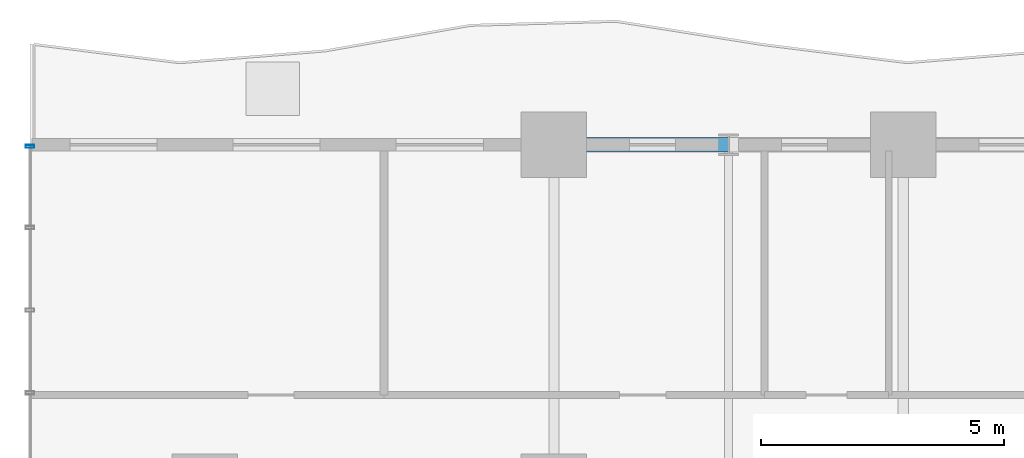
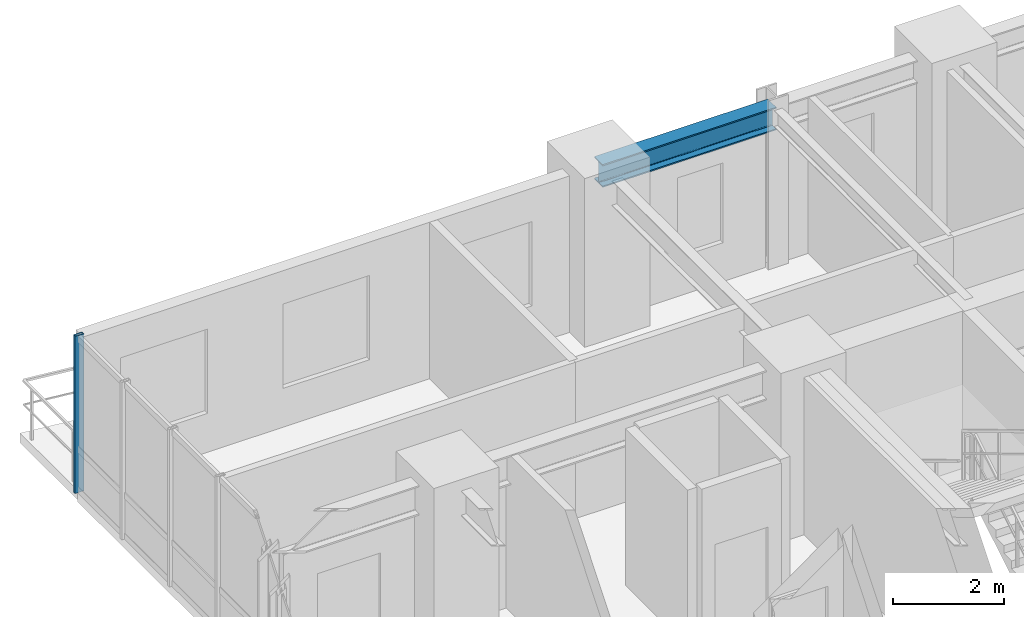
# One storey, part 8 of 19: 1 beam, 1 member, 1 element without a shape of its own.
"""IFC4 building model written with IfcOpenShell, lengths in metres."""

from ifc_helpers import new_model, si_unit, direction, frame, origin, origin_2d, place, context, subcontext, project, spatial, hollow_rectangle, i_section, extrude, source, transform, mapped, material, layer, layer_set, material_profile, profile_set, type_object, element, aggregate, save


model = new_model("IFC4")

# Units and contexts
model_context = context("Model", 3, precision=1e-05, world=origin(), true_north=direction((0.0, 1.0)))
body_context = subcontext(model_context, "Body", "Model", "MODEL_VIEW")
ifc_project = project(units=[si_unit("LENGTHUNIT", "METRE"), si_unit("AREAUNIT", "SQUARE_METRE"), si_unit("VOLUMEUNIT", "CUBIC_METRE"), si_unit("PLANEANGLEUNIT", "RADIAN"), si_unit("MASSUNIT", "GRAM", prefix="KILO")], contexts=[model_context])

# Site, building, storey
site_placement = place(None, origin())
site = spatial("IfcSite", under=ifc_project, at=site_placement, CompositionType="ELEMENT")
building_placement = place(site_placement, origin())
building = spatial("IfcBuilding", under=site, at=building_placement, Name="Kaliganga Portal Commons", CompositionType="ELEMENT")
storey_placement = place(building_placement, frame((0.0, 0.0, 32.699951171875)))
storey = spatial("IfcBuildingStorey", under=building, at=storey_placement, Name="L07", CompositionType="ELEMENT", Elevation=32.699951171875)

# Beam
ifc_material_1 = material(Name="Structural steel S355J2", Category="steel")
ifc_material_profile_1 = material_profile(ifc_material_1, i_section(OverallWidth=0.300048828125, OverallDepth=0.5, WebThickness=0.014404296875, FlangeThickness=0.028076171875, FilletRadius=0.027099609375, at=origin_2d()), Name="HE 500 B")
ifc_profile_set_1 = profile_set([ifc_material_profile_1], Name="Structural steel S355J2 wide-flange")
beam_type = type_object("IfcBeamType", Name="BM-SPAND-500", PredefinedType="SPANDREL", material=ifc_profile_set_1)
shared_shape_1 = source(origin(), body_context, "Body", "SweptSolid", [
    extrude(i_section(OverallWidth=0.300048828125, OverallDepth=0.5, WebThickness=0.014404296875, FlangeThickness=0.028076171875, FilletRadius=0.027099609375, at=origin_2d()), origin(), (0.0, 0.0, 1.0), 3.60009765625),
])
beam_placement = place(storey_placement, frame((14.39990234375, 43.199951171875, 3.199951171875), z_axis=(1.0, 0.0, 0.0), x_axis=(0.0, 1.0, 0.0)))
element("IfcBeam", 1, at=beam_placement, inside=storey, type_object=beam_type, Name="BM SP L07 AN 1", PredefinedType="SPANDREL", context=body_context, shape_type="MappedRepresentation", body=[
    mapped(shared_shape_1, transform((0.0, 0.0, 0.0), x_axis=(1.0, 0.0, 0.0), y_axis=(0.0, 1.0, 0.0), z_axis=(0.0, 0.0, 1.0), scale=1.0)),
])

# Curtain wall, member
ifc_material_2 = material(Name="Anodized Aluminium and Laminated Low-E Glass", Category="aluminium")
ifc_layer = layer(ifc_material_2, 0.199951171875)
ifc_layer_set = layer_set([ifc_layer], Name="Anodized Aluminium and Laminated Low-E Glass")
curtain_wall_type = type_object("IfcCurtainWallType", Name="CW-SYS-02", PredefinedType="NOTDEFINED", material=ifc_layer_set)
curtain_wall_placement = place(storey_placement, origin())
curtain_wall = element("IfcCurtainWall", 2, at=curtain_wall_placement, inside=storey, type_object=curtain_wall_type, Name="CW 02 L07 P1E03S1", PredefinedType="NOTDEFINED")
ifc_material_3 = material(Name="Dark Bronze Anodized Aluminium", Category="aluminium")
ifc_material_profile_2 = material_profile(ifc_material_3, hollow_rectangle(XDim=0.06494140625, YDim=0.179931640625, WallThickness=0.00390625, at=origin_2d()), Name="ALU MULL 65x180x4")
ifc_profile_set_2 = profile_set([ifc_material_profile_2], Name="Dark Bronze Anodized Aluminium")
member_type = type_object("IfcMemberType", Name="CW-MUL-180", PredefinedType="MULLION", material=ifc_profile_set_2)
shared_shape_2 = source(origin(), body_context, "Body", "SweptSolid", [
    extrude(hollow_rectangle(XDim=0.06494140625, YDim=0.179931640625, WallThickness=0.00390625, at=origin_2d()), origin(), (0.0, 0.0, 1.0), 3.449951171875),
])
member_placement = place(storey_placement, frame((3.60009765625, 43.1650390625, 0.0), z_axis=(0.0, 0.0, 1.0), x_axis=(0.0, -1.0, 0.0)))
member = element("IfcMember", 3, at=member_placement, type_object=member_type, Name="CW:02:L07:P1E03S1 Mullion 00", PredefinedType="MULLION", context=body_context, shape_type="MappedRepresentation", body=[
    mapped(shared_shape_2, transform((0.0, 0.0, 0.0), x_axis=(1.0, 0.0, 0.0), y_axis=(0.0, 1.0, 0.0), z_axis=(0.0, 0.0, 1.0), scale=1.0)),
])
aggregate(curtain_wall, [member])

save(model, "model.ifc")
